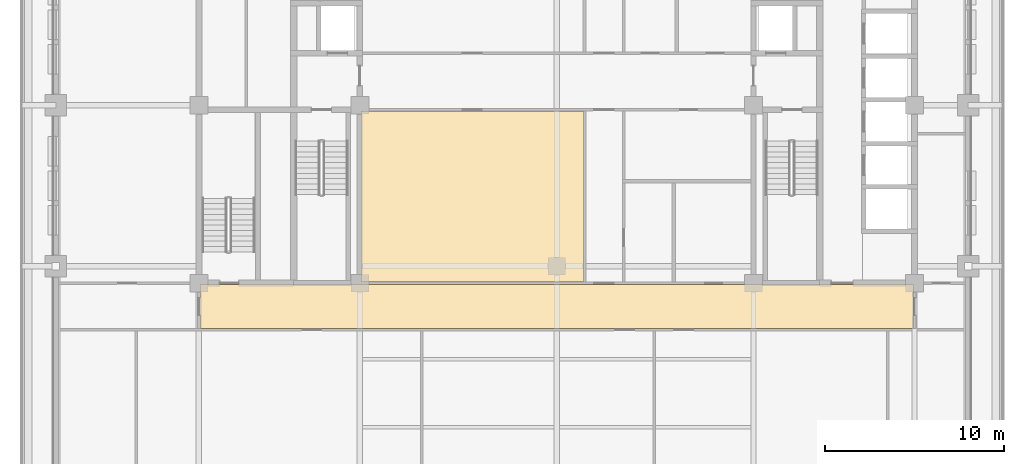
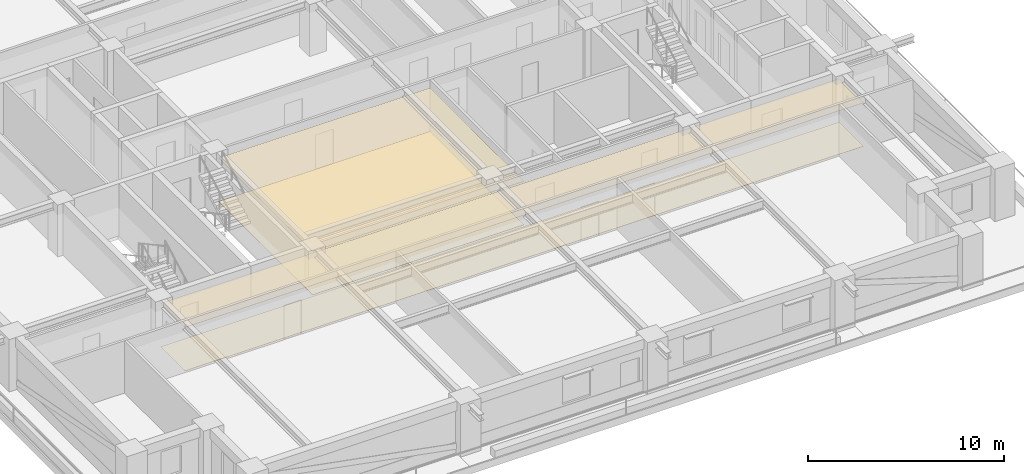
# One storey, part 11 of 15: 4 coverings.
"""IFC4 building model written with IfcOpenShell, lengths in metres."""

from ifc_helpers import new_model, si_unit, direction, frame, origin, place, context, subcontext, project, spatial, polyline, outline, extrude, material, layer, layer_set, type_object, element, save


model = new_model("IFC4")

# Units and contexts
model_context = context("Model", 3, precision=1e-05, world=origin(), true_north=direction((0.0, 1.0)))
body_context = subcontext(model_context, "Body", "Model", "MODEL_VIEW")
ifc_project = project(units=[si_unit("LENGTHUNIT", "METRE"), si_unit("AREAUNIT", "SQUARE_METRE"), si_unit("VOLUMEUNIT", "CUBIC_METRE"), si_unit("PLANEANGLEUNIT", "RADIAN"), si_unit("MASSUNIT", "GRAM", prefix="KILO")], contexts=[model_context])

# Site, building, storey
site_placement = place(None, origin())
site = spatial("IfcSite", under=ifc_project, at=site_placement, CompositionType="ELEMENT")
building_placement = place(site_placement, origin())
building = spatial("IfcBuilding", under=site, at=building_placement, Name="Zulmaris Gate Convention Tower", CompositionType="ELEMENT")
storey_placement = place(building_placement, frame((0.0, 0.0, 139.199951171875)))
storey = spatial("IfcBuildingStorey", under=building, at=storey_placement, Name="L35", CompositionType="ELEMENT", Elevation=139.199951171875)

# Coverings
ifc_material_1 = material(Name="Mineral Fibre Acoustic Ceiling Tile")
ifc_layer_1 = layer(ifc_material_1, 0.02001953125, Name="Mineral Fibre Acoustic Ceiling Tile")
ifc_layer_set_1 = layer_set([ifc_layer_1], Name="Mineral Fibre Acoustic Ceiling Tile")
covering_type_1 = type_object("IfcCoveringType", Name="CLG-ACOUSTIC-600", PredefinedType="CEILING", material=ifc_layer_set_1)
covering_1_placement = place(storey_placement, frame((0.0, 0.0, 2.702880859375)))
element("IfcCovering", 1, at=covering_1_placement, inside=storey, type_object=covering_type_1, Name="CLG-L35-R29", PredefinedType="CEILING", context=body_context, shape_type="SweptSolid", body=[
    extrude(outline(polyline([(-19.93994140625, -12.489990234375), (19.93994140625, -12.489990234375), (19.93994140625, -10.010009765625), (-19.93994140625, -10.010009765625), (-19.93994140625, -12.489990234375)])), origin(), (0.0, 0.0, 1.0), 0.02001953125),
])
covering_2_placement = place(storey_placement, frame((0.0, 0.0, 2.702880859375)))
element("IfcCovering", 2, at=covering_2_placement, inside=storey, type_object=covering_type_1, Name="CLG-L35-R41", PredefinedType="CEILING", context=body_context, shape_type="SweptSolid", body=[
    extrude(outline(polyline([(-10.93994140625, -9.889892578125), (1.489990234375, -9.889892578125), (1.489990234375, -0.31005859375), (-10.93994140625, -0.31005859375), (-10.93994140625, -9.889892578125)])), origin(), (0.0, 0.0, 1.0), 0.02001953125),
])
ifc_material_2 = material(Name="Woven Acoustic Wool Carpet Tile")
ifc_layer_2 = layer(ifc_material_2, 0.02001953125, Name="Woven Acoustic Wool Carpet Tile")
ifc_layer_set_2 = layer_set([ifc_layer_2], Name="Woven Acoustic Wool Carpet Tile")
covering_type_2 = type_object("IfcCoveringType", Name="FLR-CARPET-12", PredefinedType="FLOORING", material=ifc_layer_set_2)
covering_3_placement = place(storey_placement, origin())
element("IfcCovering", 3, at=covering_3_placement, inside=storey, type_object=covering_type_2, Name="FLR-L35-R29", PredefinedType="FLOORING", context=body_context, shape_type="SweptSolid", body=[
    extrude(outline(polyline([(-19.93994140625, -12.489990234375), (19.93994140625, -12.489990234375), (19.93994140625, -10.010009765625), (-19.93994140625, -10.010009765625), (-19.93994140625, -12.489990234375)])), origin(), (0.0, 0.0, 1.0), 0.02001953125),
])
covering_4_placement = place(storey_placement, origin())
element("IfcCovering", 4, at=covering_4_placement, inside=storey, type_object=covering_type_2, Name="FLR-L35-R41", PredefinedType="FLOORING", context=body_context, shape_type="SweptSolid", body=[
    extrude(outline(polyline([(-10.93994140625, -9.889892578125), (1.489990234375, -9.889892578125), (1.489990234375, -0.31005859375), (-10.93994140625, -0.31005859375), (-10.93994140625, -9.889892578125)])), origin(), (0.0, 0.0, 1.0), 0.02001953125),
])

save(model, "model.ifc")
